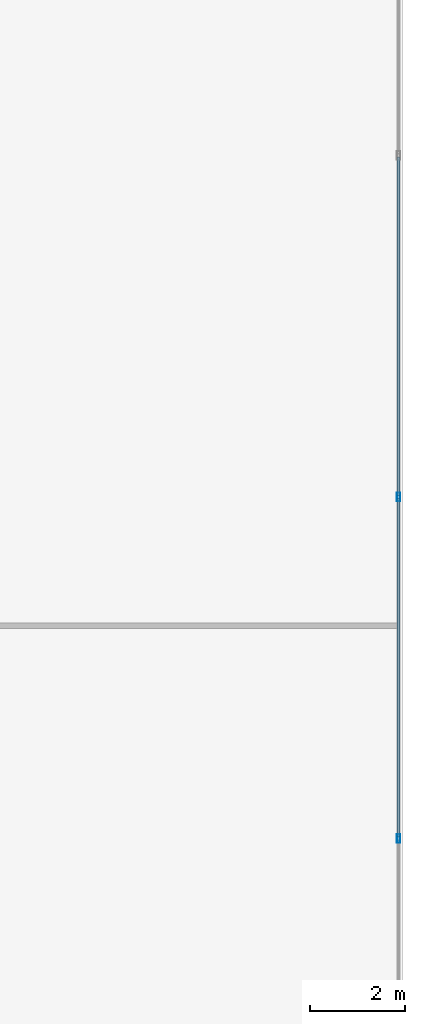
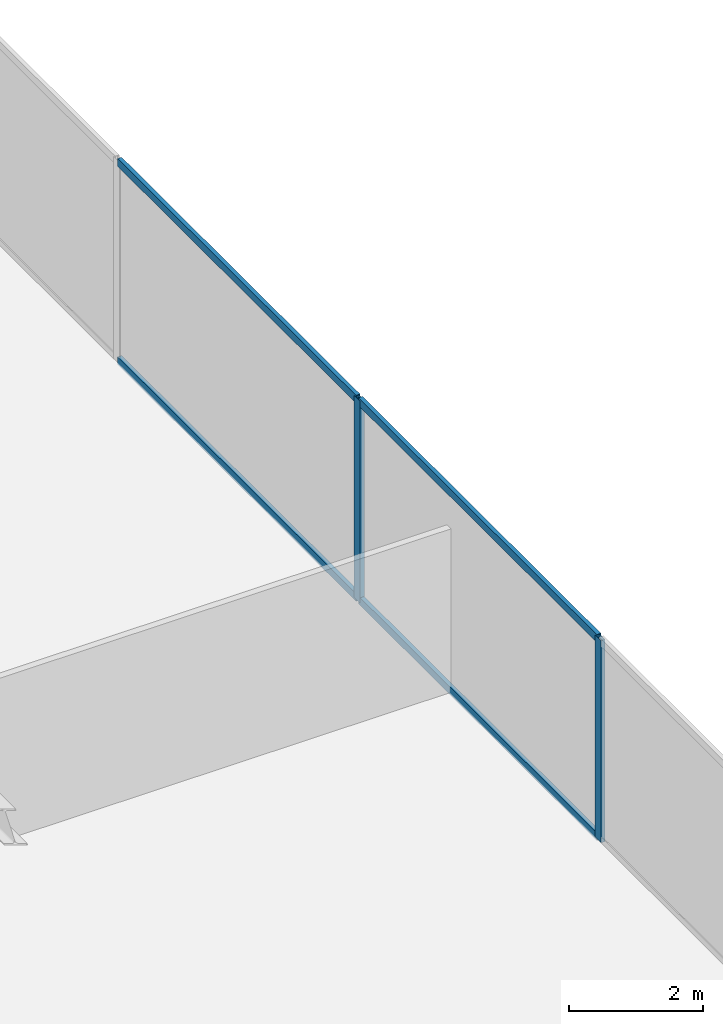
# One storey, part 14 of 28: 6 members, 1 element without a shape of its own.
"""IFC4 building model written with IfcOpenShell, lengths in metres."""

from ifc_helpers import new_model, si_unit, direction, frame, origin, origin_2d, place, context, subcontext, project, spatial, hollow_rectangle, extrude, source, transform, mapped, material, material_profile, profile_set, type_object, type_shapes, element, aggregate, save


model = new_model("IFC4")

# Units and contexts
model_context = context("Model", 3, precision=1e-05, world=origin(), true_north=direction((0.0, 1.0)))
body_context = subcontext(model_context, "Body", "Model", "MODEL_VIEW")
ifc_project = project(units=[si_unit("LENGTHUNIT", "METRE"), si_unit("AREAUNIT", "SQUARE_METRE"), si_unit("VOLUMEUNIT", "CUBIC_METRE"), si_unit("PLANEANGLEUNIT", "RADIAN"), si_unit("MASSUNIT", "GRAM", prefix="KILO")], contexts=[model_context])

# Site, building, storey
site_placement = place(None, origin())
site = spatial("IfcSite", under=ifc_project, at=site_placement, CompositionType="ELEMENT")
building_placement = place(site_placement, origin())
building = spatial("IfcBuilding", under=site, at=building_placement, Name="Krantzveldt Concourse Tower", CompositionType="ELEMENT")
storey_placement = place(building_placement, frame((0.0, 0.0, 32.89990234375)))
storey = spatial("IfcBuildingStorey", under=building, at=storey_placement, Name="L07", CompositionType="ELEMENT", Elevation=32.89990234375)

# Curtain wall, members
ifc_material = material(Name="Anodised aluminium 6063-T6", Category="aluminium")
curtain_wall_type = type_object("IfcCurtainWallType", Name="CW2", PredefinedType="USERDEFINED", material=ifc_material)
curtain_wall_placement = place(storey_placement, origin())
curtain_wall = element("IfcCurtainWall", 1, at=curtain_wall_placement, inside=storey, type_object=curtain_wall_type, Name="CW-L07-F07", ObjectType="UNITISED CURTAIN WALL", PredefinedType="USERDEFINED")
ifc_material_profile_1 = material_profile(ifc_material, hollow_rectangle(XDim=0.070068359375, YDim=0.139892578125, WallThickness=0.0048828125, at=origin_2d()), Name="Anodised aluminium 6063-T6", Category="aluminium")
ifc_profile_set_1 = profile_set([ifc_material_profile_1], Name="Anodised aluminium 6063-T6 - ALU-TRAN 140x70x5")
member_type_1 = type_object("IfcMemberType", Name="CW-TRN-150", PredefinedType="USERDEFINED", material=ifc_profile_set_1)
shared_shape_1 = source(origin(), body_context, "Body", "SweptSolid", [
    extrude(hollow_rectangle(XDim=0.070068359375, YDim=0.139892578125, WallThickness=0.0048828125, at=origin_2d()), origin(), (0.0, 0.0, 1.0), 7.0966796875),
])
type_shapes(member_type_1, [shared_shape_1])
member_1_placement = place(storey_placement, frame((60.909912109375, 19.568359375, 0.03515625), z_axis=(0.0, 1.0, 0.0), x_axis=(-1.0, 0.0, 0.0)))
member_1 = element("IfcMember", 2, at=member_1_placement, type_object=member_type_1, Name="CW-Z12 transom 3.1", ObjectType="TRANSOM", PredefinedType="USERDEFINED", context=body_context, shape_type="MappedRepresentation", body=[
    mapped(shared_shape_1, transform((0.0, 0.0, 0.0), x_axis=(1.0, 0.0, 0.0), y_axis=(0.0, 1.0, 0.0), z_axis=(0.0, 0.0, 1.0), scale=1.0)),
])
member_2_placement = place(storey_placement, frame((60.909912109375, 19.568359375, 3.635009765625), z_axis=(0.0, 1.0, 0.0), x_axis=(-1.0, 0.0, 0.0)))
member_2 = element("IfcMember", 3, at=member_2_placement, type_object=member_type_1, Name="CW-Z12 transom 3.2", ObjectType="TRANSOM", PredefinedType="USERDEFINED", context=body_context, shape_type="MappedRepresentation", body=[
    mapped(shared_shape_1, transform((0.0, 0.0, 0.0), x_axis=(1.0, 0.0, 0.0), y_axis=(0.0, 1.0, 0.0), z_axis=(0.0, 0.0, 1.0), scale=1.0)),
])
member_3_placement = place(storey_placement, frame((60.909912109375, 26.735107421875, 0.03515625), z_axis=(0.0, 1.0, 0.0), x_axis=(-1.0, 0.0, 0.0)))
member_3 = element("IfcMember", 4, at=member_3_placement, type_object=member_type_1, Name="CW-Z12 transom 4.1", ObjectType="TRANSOM", PredefinedType="USERDEFINED", context=body_context, shape_type="MappedRepresentation", body=[
    mapped(shared_shape_1, transform((0.0, 0.0, 0.0), x_axis=(1.0, 0.0, 0.0), y_axis=(0.0, 1.0, 0.0), z_axis=(0.0, 0.0, 1.0), scale=1.0)),
])
member_4_placement = place(storey_placement, frame((60.909912109375, 26.735107421875, 3.635009765625), z_axis=(0.0, 1.0, 0.0), x_axis=(-1.0, 0.0, 0.0)))
member_4 = element("IfcMember", 5, at=member_4_placement, type_object=member_type_1, Name="CW-Z12 transom 4.2", ObjectType="TRANSOM", PredefinedType="USERDEFINED", context=body_context, shape_type="MappedRepresentation", body=[
    mapped(shared_shape_1, transform((0.0, 0.0, 0.0), x_axis=(1.0, 0.0, 0.0), y_axis=(0.0, 1.0, 0.0), z_axis=(0.0, 0.0, 1.0), scale=1.0)),
])
ifc_material_profile_2 = material_profile(ifc_material, hollow_rectangle(XDim=0.070068359375, YDim=0.179931640625, WallThickness=0.0048828125, at=origin_2d()), Name="Anodised aluminium 6063-T6", Category="aluminium")
ifc_profile_set_2 = profile_set([ifc_material_profile_2], Name="Anodised aluminium 6063-T6 - ALU-MULL 180x70x5")
member_type_2 = type_object("IfcMemberType", Name="CW-MUL-180", PredefinedType="MULLION", material=ifc_profile_set_2)
shared_shape_2 = source(origin(), body_context, "Body", "SweptSolid", [
    extrude(hollow_rectangle(XDim=0.070068359375, YDim=0.179931640625, WallThickness=0.0048828125, at=origin_2d()), origin(), (0.0, 0.0, 1.0), 3.670166015625),
])
type_shapes(member_type_2, [shared_shape_2])
member_5_placement = place(storey_placement, frame((60.909912109375, 19.533447265625, 0.0), z_axis=(0.0, 0.0, 1.0), x_axis=(-1.0, 0.0, 0.0)))
member_5 = element("IfcMember", 6, at=member_5_placement, type_object=member_type_2, Name="CW-Z12 mullion 3", PredefinedType="MULLION", context=body_context, shape_type="MappedRepresentation", body=[
    mapped(shared_shape_2, transform((0.0, 0.0, 0.0), x_axis=(1.0, 0.0, 0.0), y_axis=(0.0, 1.0, 0.0), z_axis=(0.0, 0.0, 1.0), scale=1.0)),
])
member_6_placement = place(storey_placement, frame((60.909912109375, 26.699951171875, 0.0), z_axis=(0.0, 0.0, 1.0), x_axis=(-1.0, 0.0, 0.0)))
member_6 = element("IfcMember", 7, at=member_6_placement, type_object=member_type_2, Name="CW-Z12 mullion 4", PredefinedType="MULLION", context=body_context, shape_type="MappedRepresentation", body=[
    mapped(shared_shape_2, transform((0.0, 0.0, 0.0), x_axis=(1.0, 0.0, 0.0), y_axis=(0.0, 1.0, 0.0), z_axis=(0.0, 0.0, 1.0), scale=1.0)),
])
aggregate(curtain_wall, [member_5, member_6, member_1, member_2, member_3, member_4])

save(model, "model.ifc")
